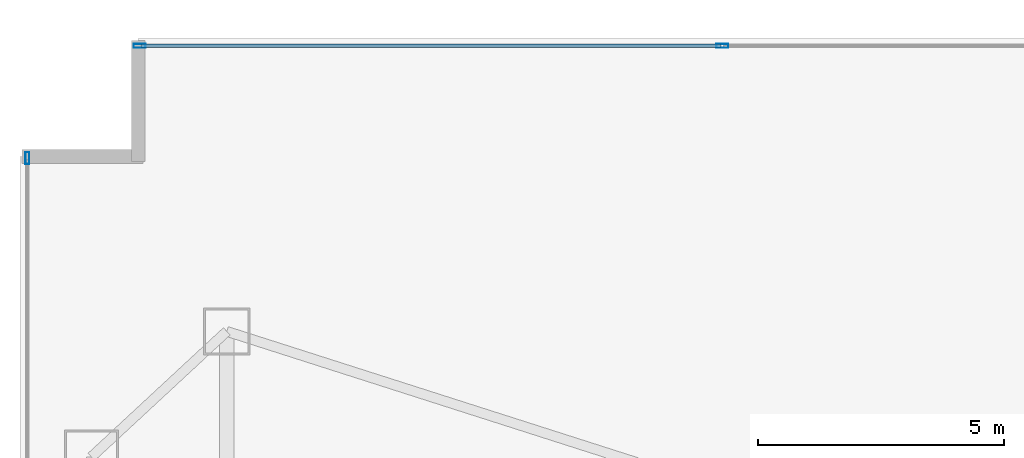
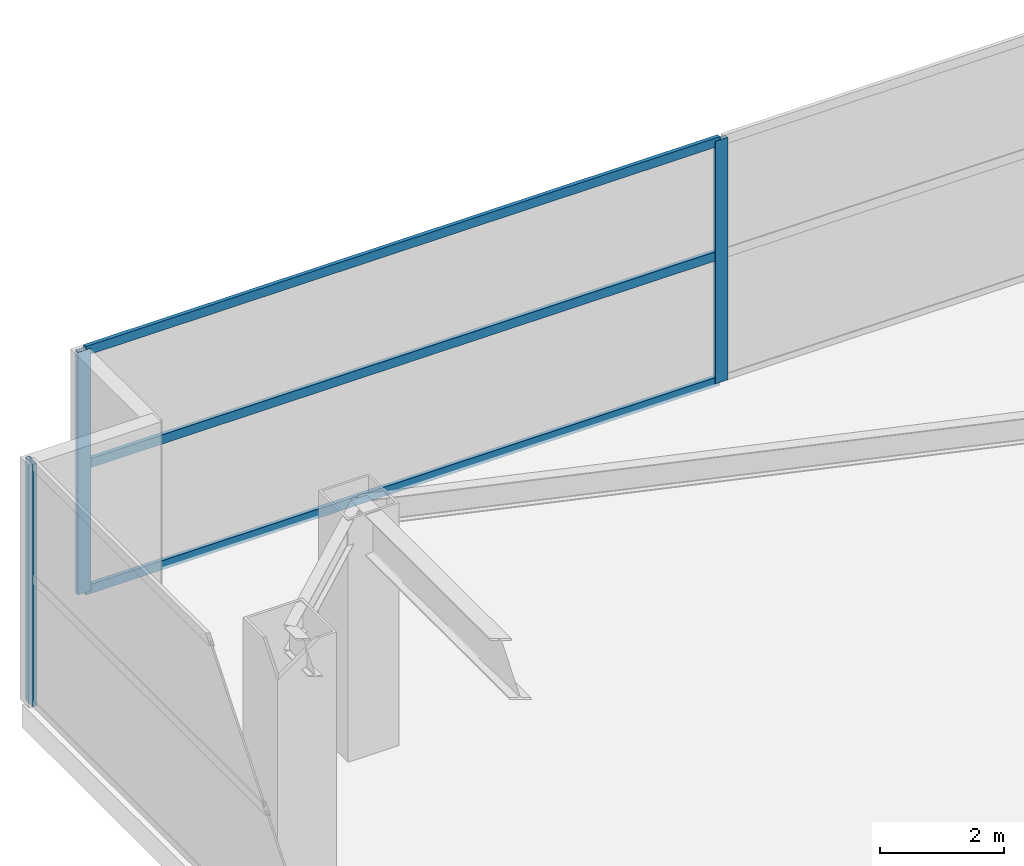
# One storey, part 16 of 36: 6 members, 2 elements without a shape of their own.
"""IFC4 building model written with IfcOpenShell, lengths in metres."""

from ifc_helpers import new_model, si_unit, direction, frame, origin, origin_2d, place, context, subcontext, project, spatial, hollow_rectangle, extrude, material, layer, layer_set, material_profile, profile_set, type_object, element, aggregate, save


model = new_model("IFC4")

# Units and contexts
model_context = context("Model", 3, precision=1e-05, world=origin(), true_north=direction((0.0, 1.0)))
body_context = subcontext(model_context, "Body", "Model", "MODEL_VIEW")
ifc_project = project(units=[si_unit("LENGTHUNIT", "METRE"), si_unit("AREAUNIT", "SQUARE_METRE"), si_unit("VOLUMEUNIT", "CUBIC_METRE"), si_unit("PLANEANGLEUNIT", "RADIAN"), si_unit("MASSUNIT", "GRAM", prefix="KILO")], contexts=[model_context])

# Site, building, storey
site_placement = place(None, origin())
site = spatial("IfcSite", under=ifc_project, at=site_placement, CompositionType="ELEMENT")
building_placement = place(site_placement, origin())
building = spatial("IfcBuilding", under=site, at=building_placement, Name="Calvorn Quay Hotel", CompositionType="ELEMENT")
storey_placement = place(building_placement, frame((0.0, 0.0, 22.0)))
storey = spatial("IfcBuildingStorey", under=building, at=storey_placement, Name="L04", CompositionType="ELEMENT", Elevation=22.0)

# Curtain wall, member
ifc_material_1 = material(Name="Pale Anodised Aluminium and Low-E Glass", Category="aluminium")
ifc_layer = layer(ifc_material_1, 0.219970703125)
ifc_layer_set = layer_set([ifc_layer], Name="CW-SYS-POD")
curtain_wall_type = type_object("IfcCurtainWallType", Name="CW-SYS-POD", PredefinedType="NOTDEFINED", material=ifc_layer_set)
curtain_wall_1_placement = place(storey_placement, origin())
curtain_wall_1 = element("IfcCurtainWall", 1, at=curtain_wall_1_placement, inside=storey, type_object=curtain_wall_type, Name="Podium Curtain Wall L04-W1", PredefinedType="NOTDEFINED")
ifc_material_2 = material(Name="Pale Anodised Aluminium 6063-T6", Category="aluminium")
ifc_material_profile_1 = material_profile(ifc_material_2, hollow_rectangle(XDim=0.080078125, YDim=0.239990234375, WallThickness=0.0048828125, at=origin_2d()), Name="ALU-M240x80x5")
ifc_profile_set_1 = profile_set([ifc_material_profile_1], Name="Pale Anodised Aluminium 6063-T6")
member_type_1 = type_object("IfcMemberType", Name="CW-SYS-POD-MUL", PredefinedType="MULLION", material=ifc_profile_set_1)
member_1_placement = place(storey_placement, frame((0.14990234375, 53.070068359375, 0.0), z_axis=(0.0, 0.0, 1.0), x_axis=(-1.0, 0.0, 0.0)))
member_1 = element("IfcMember", 2, at=member_1_placement, type_object=member_type_1, Name="CW-L04-W1 mullion 6", PredefinedType="MULLION", context=body_context, shape_type="SweptSolid", body=[
    extrude(hollow_rectangle(XDim=0.080078125, YDim=0.239990234375, WallThickness=0.0048828125, at=origin_2d()), origin(), (0.0, 0.0, 1.0), 4.760009765625),
])
aggregate(curtain_wall_1, [member_1])

# Curtain wall, members
curtain_wall_2_placement = place(storey_placement, origin())
curtain_wall_2 = element("IfcCurtainWall", 3, at=curtain_wall_2_placement, inside=storey, type_object=curtain_wall_type, Name="Podium Curtain Wall L04-N1", PredefinedType="NOTDEFINED")
member_2_placement = place(storey_placement, frame((2.429931640625, 55.35009765625, 0.0), z_axis=(0.0, 0.0, 1.0), x_axis=(0.0, 1.0, 0.0)))
member_2 = element("IfcMember", 4, at=member_2_placement, type_object=member_type_1, Name="CW-L04-N1 mullion 1", PredefinedType="MULLION", context=body_context, shape_type="SweptSolid", body=[
    extrude(hollow_rectangle(XDim=0.080078125, YDim=0.239990234375, WallThickness=0.0048828125, at=origin_2d()), origin(), (0.0, 0.0, 1.0), 4.760009765625),
])
member_3_placement = place(storey_placement, frame((14.2666015625, 55.35009765625, 0.0), z_axis=(0.0, 0.0, 1.0), x_axis=(0.0, 1.0, 0.0)))
member_3 = element("IfcMember", 5, at=member_3_placement, type_object=member_type_1, Name="CW-L04-N1 mullion 2", PredefinedType="MULLION", context=body_context, shape_type="SweptSolid", body=[
    extrude(hollow_rectangle(XDim=0.080078125, YDim=0.239990234375, WallThickness=0.0048828125, at=origin_2d()), origin(), (0.0, 0.0, 1.0), 4.760009765625),
])
ifc_material_3 = material(Name="Pale Anodised Aluminium 6063-T6", Category="aluminium")
ifc_material_profile_2 = material_profile(ifc_material_3, hollow_rectangle(XDim=0.070068359375, YDim=0.179931640625, WallThickness=0.00390625, at=origin_2d()), Name="ALU-T180x70x4")
ifc_profile_set_2 = profile_set([ifc_material_profile_2], Name="Pale Anodised Aluminium 6063-T6")
member_type_2 = type_object("IfcMemberType", Name="CW-SYS-POD-TRN", PredefinedType="USERDEFINED", material=ifc_profile_set_2)
member_4_placement = place(storey_placement, frame((2.4599609375, 55.35009765625, 0.030029296875), z_axis=(1.0, 0.0, 0.0), x_axis=(0.0, 1.0, 0.0)))
member_4 = element("IfcMember", 6, at=member_4_placement, type_object=member_type_2, Name="CW-L04-N1 transom 1.1", ObjectType="TRANSOM", PredefinedType="USERDEFINED", context=body_context, shape_type="SweptSolid", body=[
    extrude(hollow_rectangle(XDim=0.070068359375, YDim=0.179931640625, WallThickness=0.00390625, at=origin_2d()), origin(), (0.0, 0.0, 1.0), 11.776611328125),
])
member_5_placement = place(storey_placement, frame((2.4599609375, 55.35009765625, 2.5), z_axis=(1.0, 0.0, 0.0), x_axis=(0.0, 1.0, 0.0)))
member_5 = element("IfcMember", 7, at=member_5_placement, type_object=member_type_2, Name="CW-L04-N1 transom 1.2", ObjectType="TRANSOM", PredefinedType="USERDEFINED", context=body_context, shape_type="SweptSolid", body=[
    extrude(hollow_rectangle(XDim=0.070068359375, YDim=0.179931640625, WallThickness=0.00390625, at=origin_2d()), origin(), (0.0, 0.0, 1.0), 11.776611328125),
])
member_6_placement = place(storey_placement, frame((2.4599609375, 55.35009765625, 4.72998046875), z_axis=(1.0, 0.0, 0.0), x_axis=(0.0, 1.0, 0.0)))
member_6 = element("IfcMember", 8, at=member_6_placement, type_object=member_type_2, Name="CW-L04-N1 transom 1.3", ObjectType="TRANSOM", PredefinedType="USERDEFINED", context=body_context, shape_type="SweptSolid", body=[
    extrude(hollow_rectangle(XDim=0.070068359375, YDim=0.179931640625, WallThickness=0.00390625, at=origin_2d()), origin(), (0.0, 0.0, 1.0), 11.776611328125),
])
aggregate(curtain_wall_2, [member_2, member_3, member_4, member_5, member_6])

save(model, "model.ifc")
